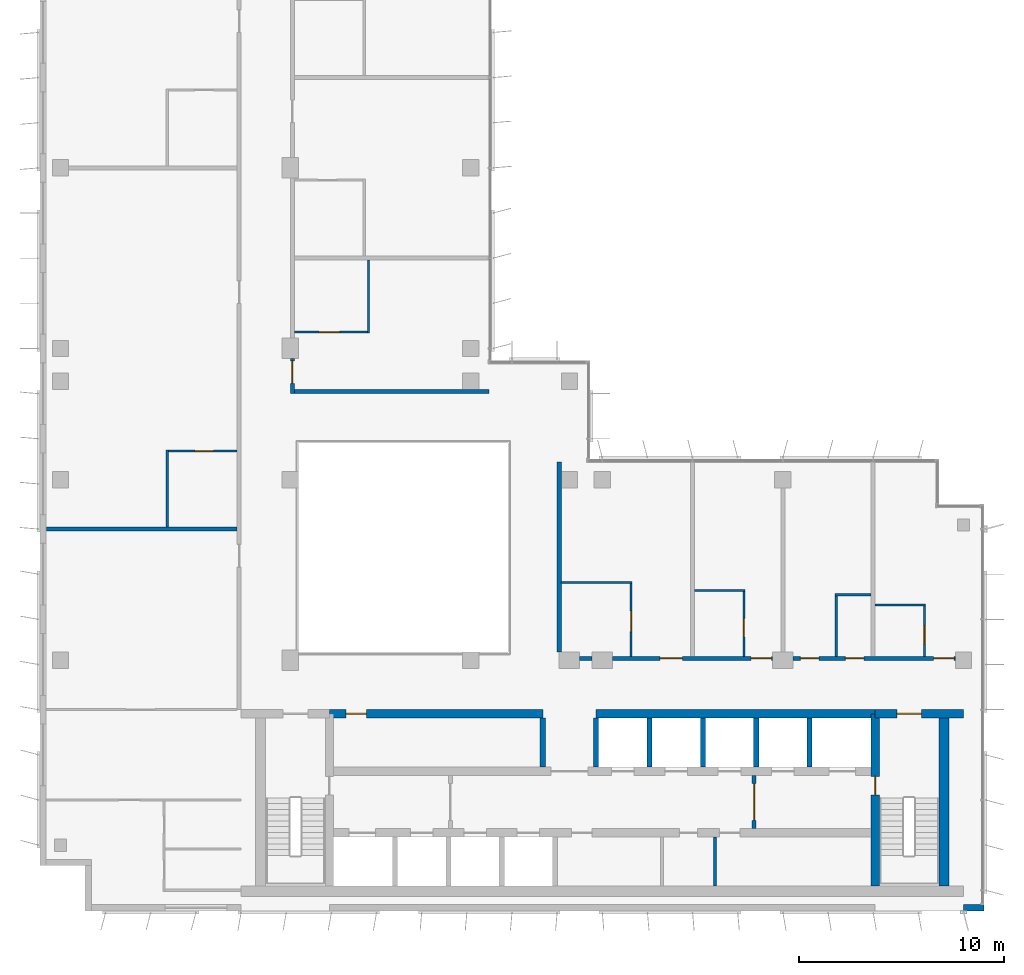
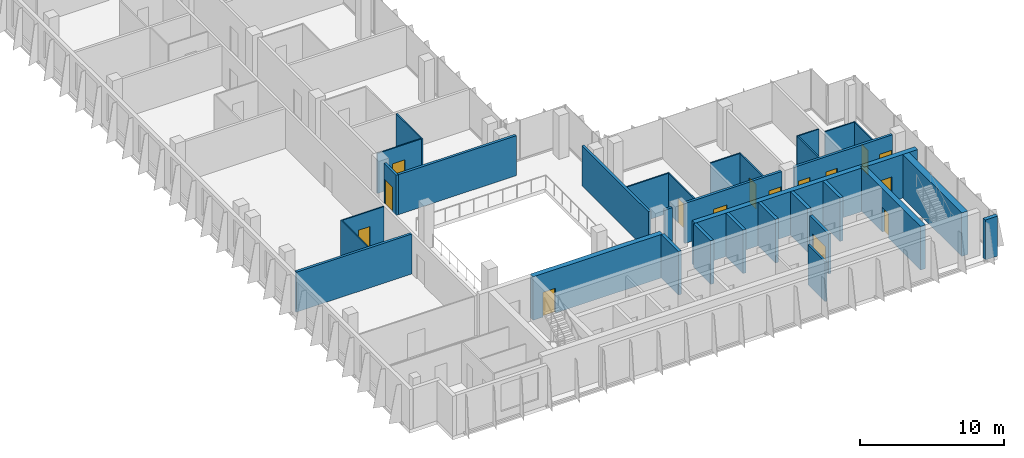
# One storey, part 10 of 15: 33 walls, 15 doors, 15 openings.
"""IFC4 building model written with IfcOpenShell, lengths in metres."""

from ifc_helpers import new_model, si_unit, direction, frame, frame_2d, origin, place, context, subcontext, project, spatial, rectangle, extrude, material, layer, layer_set, type_object, element, fill, save


model = new_model("IFC4")

# Units and contexts
model_context = context("Model", 3, precision=1e-05, world=origin(), true_north=direction((0.0, 1.0)))
body_context = subcontext(model_context, "Body", "Model", "MODEL_VIEW")
ifc_project = project(units=[si_unit("LENGTHUNIT", "METRE"), si_unit("AREAUNIT", "SQUARE_METRE"), si_unit("VOLUMEUNIT", "CUBIC_METRE"), si_unit("PLANEANGLEUNIT", "RADIAN"), si_unit("MASSUNIT", "GRAM", prefix="KILO")], contexts=[model_context])

# Site, building, storey
site_placement = place(None, origin())
site = spatial("IfcSite", under=ifc_project, at=site_placement, CompositionType="ELEMENT")
building_placement = place(site_placement, origin())
building = spatial("IfcBuilding", under=site, at=building_placement, Name="Kemantara Hotel Tower", CompositionType="ELEMENT")
storey_placement = place(building_placement, frame((0.0, 0.0, 294.39990234375)))
storey = spatial("IfcBuildingStorey", under=building, at=storey_placement, Name="L74", CompositionType="ELEMENT", Elevation=294.39990234375)

# Walls
ifc_material_1 = material(Name="Bronze anodised aluminium cladding on insulated steel stud wall", Category="steel")
ifc_layer_1 = layer(ifc_material_1, 0.300048828125)
ifc_layer_set_1 = layer_set([ifc_layer_1], Name="Bronze anodised aluminium cladding on insulated steel stud wall")
wall_type_1 = type_object("IfcWallType", Name="BRONZE METAL-CLAD EXTERNAL WALL 300", PredefinedType="STANDARD", material=ifc_layer_set_1)
wall_1_placement = place(storey_placement, frame((45.0, 0.14990234375, 0.0), z_axis=(0.0, 0.0, 1.0), x_axis=(1.0, 0.0, 0.0)))
element("IfcWall", 1, at=wall_1_placement, inside=storey, type_object=wall_type_1, Name="EXTERNAL WALL L74 T4-R08-3", PredefinedType="STANDARD", context=body_context, shape_type="SweptSolid", body=[
    extrude(rectangle(XDim=1.0, YDim=0.300048828125, at=frame_2d((0.5, 0.0))), origin(), (0.0, 0.0, 1.0), 3.400146484375),
])
ifc_material_2 = material(Name="Concrete fc 50 MPa", Category="concrete")
ifc_layer_2 = layer(ifc_material_2, 0.25)
ifc_layer_set_2 = layer_set([ifc_layer_2], Name="Concrete fc 50 MPa")
wall_type_2 = type_object("IfcWallType", Name="CORE WALL 250 FC50", PredefinedType="SHEAR", material=ifc_layer_set_2)
for number, where, z_axis, x_axis, name in (
    (2, (24.5, 7.0, 0.0), (0.0, 0.0, 1.0), (0.0, 1.0, 0.0), "CORE WALL CW-DN24.5"),
    (3, (27.10009765625, 7.0, 0.0), (0.0, 0.0, 1.0), (0.0, 1.0, 0.0), "CORE WALL CW-DN27.1"),
    (4, (29.699951171875, 7.0, 0.0), (0.0, 0.0, 1.0), (0.0, 1.0, 0.0), "CORE WALL CW-DN29.7"),
    (5, (32.300048828125, 7.0, 0.0), (0.0, 0.0, 1.0), (0.0, 1.0, 0.0), "CORE WALL CW-DN32.3"),
    (6, (34.89990234375, 7.0, 0.0), (0.0, 0.0, 1.0), (0.0, 1.0, 0.0), "CORE WALL CW-DN34.9"),
    (7, (37.5, 7.0, 0.0), (0.0, 0.0, 1.0), (0.0, 1.0, 0.0), "CORE WALL CW-DN37.5"),
):
    element("IfcWall", number, at=place(storey_placement, frame(where, z_axis=z_axis, x_axis=x_axis)), inside=storey, type_object=wall_type_2, Name=name, PredefinedType="SHEAR", context=body_context, shape_type="SweptSolid", body=[
        extrude(rectangle(XDim=2.39990234375, YDim=0.25, at=frame_2d((1.199951171875, 0.0))), origin(), (0.0, 0.0, 1.0), 3.7001953125),
    ])

# Wall, opening, door
ifc_layer_3 = layer(ifc_material_2, 0.39990234375)
ifc_layer_set_3 = layer_set([ifc_layer_3], Name="Concrete fc 50 MPa")
wall_type_3 = type_object("IfcWallType", Name="CORE WALL 400 FC50", PredefinedType="SHEAR", material=ifc_layer_set_3)
wall_2_placement = place(storey_placement, frame((40.699951171875, 9.60009765625, 0.0), z_axis=(0.0, 0.0, 1.0), x_axis=(1.0, 0.0, 0.0)))
wall_2 = element("IfcWall", 8, at=wall_2_placement, inside=storey, type_object=wall_type_3, Name="CORE WALL CW-N2", PredefinedType="SHEAR", context=body_context, shape_type="SweptSolid", body=[
    extrude(rectangle(XDim=4.300048828125, YDim=0.39990234375, at=frame_2d((2.14990234375, 0.0))), origin(), (0.0, 0.0, 1.0), 3.7001953125),
])
opening_1_placement = place(wall_2_placement, frame((1.050048828125, 0.0, 0.0)))
opening_1 = element("IfcOpeningElement", 9, at=opening_1_placement, cuts=wall_2, Name="Opening C42-ST2-C", PredefinedType="OPENING", context=body_context, shape_type="SweptSolid", body=[
    extrude(rectangle(XDim=1.199951171875, YDim=2.10009765625, at=frame_2d((0.60009765625, 1.050048828125))), frame((0.0, 0.2099609375, 0.0), z_axis=(0.0, -1.0, 0.0), x_axis=(1.0, 0.0, 0.0)), (0.0, 0.0, 1.0), 0.419921875),
])
ifc_material_3 = material(Name="Steel fire door", Category="steel")
door_type_1 = type_object("IfcDoorType", Name="Fire door FD90 1200 x 2100", OperationType="NOTDEFINED", PredefinedType="DOOR", material=ifc_material_3)
door_1_placement = place(opening_1_placement, frame((1.199951171875, 0.0, 0.0), z_axis=(0.0, 0.0, 1.0), x_axis=(-1.0, 0.0, 0.0)))
door_1 = element("IfcDoor", 10, at=door_1_placement, inside=storey, type_object=door_type_1, Name="Stair ST2 door to corridor", OperationType="SINGLE_SWING_RIGHT", OverallHeight=2.10009765625, OverallWidth=1.199951171875, PredefinedType="DOOR", context=body_context, shape_type="SweptSolid", body=[
    extrude(rectangle(XDim=1.199951171875, YDim=2.10009765625, at=frame_2d((0.60009765625, 1.050048828125))), frame((0.0, 0.02490234375, 0.0), z_axis=(0.0, -1.0, 0.0), x_axis=(1.0, 0.0, 0.0)), (0.0, 0.0, 1.0), 0.050048828125),
])
fill(opening_1, door_1)

wall_3_placement = place(storey_placement, frame((14.10009765625, 9.60009765625, 0.0), z_axis=(0.0, 0.0, 1.0), x_axis=(1.0, 0.0, 0.0)))
wall_3 = element("IfcWall", 11, at=wall_3_placement, inside=storey, type_object=wall_type_3, Name="CORE WALL CW-NN1", PredefinedType="SHEAR", context=body_context, shape_type="SweptSolid", body=[
    extrude(rectangle(XDim=10.39990234375, YDim=0.39990234375, at=frame_2d((5.199951171875, 0.0))), origin(), (0.0, 0.0, 1.0), 3.7001953125),
])
opening_2_placement = place(wall_3_placement, frame((0.800048828125, 0.0, 0.0)))
opening_2 = element("IfcOpeningElement", 12, at=opening_2_placement, cuts=wall_3, Name="Opening C42-R-NW1", PredefinedType="OPENING", context=body_context, shape_type="SweptSolid", body=[
    extrude(rectangle(XDim=1.0, YDim=2.10009765625, at=frame_2d((0.5, 1.050048828125))), frame((0.0, 0.2099609375, 0.0), z_axis=(0.0, -1.0, 0.0), x_axis=(1.0, 0.0, 0.0)), (0.0, 0.0, 1.0), 0.419921875),
])
door_type_2 = type_object("IfcDoorType", Name="Fire door FD30S 1000 x 2100", OperationType="NOTDEFINED", PredefinedType="DOOR", material=ifc_material_3)
door_2_placement = place(opening_2_placement, frame((1.0, 0.0, 0.0), z_axis=(0.0, 0.0, 1.0), x_axis=(-1.0, 0.0, 0.0)))
door_2 = element("IfcDoor", 13, at=door_2_placement, inside=storey, type_object=door_type_2, Name="Linen Store door", OperationType="SINGLE_SWING_RIGHT", OverallHeight=2.10009765625, OverallWidth=1.0, PredefinedType="DOOR", context=body_context, shape_type="SweptSolid", body=[
    extrude(rectangle(XDim=1.0, YDim=2.10009765625, at=frame_2d((0.5, 1.050048828125))), frame((0.0, 0.02490234375, 0.0), z_axis=(0.0, -1.0, 0.0), x_axis=(1.0, 0.0, 0.0)), (0.0, 0.0, 1.0), 0.050048828125),
])
fill(opening_2, door_2)

# Wall
wall_4_placement = place(storey_placement, frame((27.10009765625, 9.60009765625, 0.0), z_axis=(0.0, 0.0, 1.0), x_axis=(1.0, 0.0, 0.0)))
element("IfcWall", 14, at=wall_4_placement, inside=storey, type_object=wall_type_3, Name="CORE WALL CW-NN2", PredefinedType="SHEAR", context=body_context, shape_type="SweptSolid", body=[
    extrude(rectangle(XDim=13.599853515625, YDim=0.39990234375, at=frame_2d((6.7998046875, 0.0))), origin(), (0.0, 0.0, 1.0), 3.7001953125),
])

# Wall, opening, door
wall_5_placement = place(storey_placement, frame((40.699951171875, 1.199951171875, 0.0), z_axis=(0.0, 0.0, 1.0), x_axis=(0.0, 1.0, 0.0)))
wall_5 = element("IfcWall", 15, at=wall_5_placement, inside=storey, type_object=wall_type_3, Name="CORE WALL CW-ST2W", PredefinedType="SHEAR", context=body_context, shape_type="SweptSolid", body=[
    extrude(rectangle(XDim=8.400146484375, YDim=0.39990234375, at=frame_2d((4.2001953125, 0.0))), origin(), (0.0, 0.0, 1.0), 3.7001953125),
])
opening_3_placement = place(wall_5_placement, frame((4.449951171875, 0.0, 0.0)))
opening_3 = element("IfcOpeningElement", 16, at=opening_3_placement, cuts=wall_5, Name="Opening C42-ST2-F", PredefinedType="OPENING", context=body_context, shape_type="SweptSolid", body=[
    extrude(rectangle(XDim=0.89990234375, YDim=2.10009765625, at=frame_2d((0.449951171875, 1.050048828125))), frame((0.0, 0.2099609375, 0.0), z_axis=(0.0, -1.0, 0.0), x_axis=(1.0, 0.0, 0.0)), (0.0, 0.0, 1.0), 0.419921875),
])
door_type_3 = type_object("IfcDoorType", Name="Fire door FD90 900 x 2100", OperationType="NOTDEFINED", PredefinedType="DOOR", material=ifc_material_3)
door_3_placement = place(opening_3_placement, frame((0.89990234375, 0.0, 0.0), z_axis=(0.0, 0.0, 1.0), x_axis=(-1.0, 0.0, 0.0)))
door_3 = element("IfcDoor", 17, at=door_3_placement, inside=storey, type_object=door_type_3, Name="Stair ST2 door to firefighting lobby", OperationType="SINGLE_SWING_LEFT", OverallHeight=2.10009765625, OverallWidth=0.89990234375, PredefinedType="DOOR", context=body_context, shape_type="SweptSolid", body=[
    extrude(rectangle(XDim=0.89990234375, YDim=2.10009765625, at=frame_2d((0.449951171875, 1.050048828125))), frame((0.0, 0.02490234375, 0.0), z_axis=(0.0, -1.0, 0.0), x_axis=(1.0, 0.0, 0.0)), (0.0, 0.0, 1.0), 0.050048828125),
])
fill(opening_3, door_3)

# Walls
ifc_layer_4 = layer(ifc_material_2, 0.5)
ifc_layer_set_4 = layer_set([ifc_layer_4], Name="Concrete fc 50 MPa")
wall_type_4 = type_object("IfcWallType", Name="CORE WALL 500 FC50", PredefinedType="SHEAR", material=ifc_layer_set_4)
wall_6_placement = place(storey_placement, frame((44.050048828125, 1.199951171875, 0.0), z_axis=(0.0, 0.0, 1.0), x_axis=(0.0, 1.0, 0.0)))
element("IfcWall", 18, at=wall_6_placement, inside=storey, type_object=wall_type_4, Name="CORE WALL CW-E", PredefinedType="SHEAR", context=body_context, shape_type="SweptSolid", body=[
    extrude(rectangle(XDim=8.60009765625, YDim=0.5, at=frame_2d((4.300048828125, 0.0))), origin(), (0.0, 0.0, 1.0), 3.7001953125),
])
ifc_material_4 = material(Name="Gypsum board partition, steel studs and mineral wool, 200 mm", Category="steel")
ifc_layer_5 = layer(ifc_material_4, 0.199951171875)
ifc_layer_set_5 = layer_set([ifc_layer_5], Name="Gypsum board partition, steel studs and mineral wool, 200 mm")
wall_type_5 = type_object("IfcWallType", Name="CORRIDOR WALL 200", PredefinedType="PARTITIONING", material=ifc_layer_set_5)
wall_7_placement = place(storey_placement, frame((26.300048828125, 12.300048828125, 0.0), z_axis=(0.0, 0.0, 1.0), x_axis=(1.0, 0.0, 0.0)))
element("IfcWall", 19, at=wall_7_placement, inside=storey, type_object=wall_type_5, Name="CORRIDOR WALL 200 001", PredefinedType="PARTITIONING", context=body_context, shape_type="SweptSolid", body=[
    extrude(rectangle(XDim=0.599853515625, YDim=0.199951171875, at=frame_2d((0.2998046875, 0.0))), origin(), (0.0, 0.0, 1.0), 3.400146484375),
])

# Wall, openings, doors
wall_8_placement = place(storey_placement, frame((27.900146484375, 12.300048828125, 0.0), z_axis=(0.0, 0.0, 1.0), x_axis=(1.0, 0.0, 0.0)))
wall_8 = element("IfcWall", 20, at=wall_8_placement, inside=storey, type_object=wall_type_5, Name="CORRIDOR WALL 200 002", PredefinedType="PARTITIONING", context=body_context, shape_type="SweptSolid", body=[
    extrude(rectangle(XDim=7.7998046875, YDim=0.199951171875, at=frame_2d((3.89990234375, 0.0))), origin(), (0.0, 0.0, 1.0), 3.400146484375),
])
opening_4_placement = place(wall_8_placement, frame((2.2998046875, 0.0, 0.0)))
opening_4 = element("IfcOpeningElement", 21, at=opening_4_placement, cuts=wall_8, Name="Opening F36-001", PredefinedType="OPENING", context=body_context, shape_type="SweptSolid", body=[
    extrude(rectangle(XDim=1.10009765625, YDim=2.10009765625, at=frame_2d((0.550048828125, 1.050048828125))), frame((0.0, 0.10986328125, 0.0), z_axis=(0.0, -1.0, 0.0), x_axis=(1.0, 0.0, 0.0)), (0.0, 0.0, 1.0), 0.219970703125),
])
opening_5_placement = place(wall_8_placement, frame((6.75, 0.0, 0.0)))
opening_5 = element("IfcOpeningElement", 22, at=opening_5_placement, cuts=wall_8, Name="Opening F36-003", PredefinedType="OPENING", context=body_context, shape_type="SweptSolid", body=[
    extrude(rectangle(XDim=1.0, YDim=2.10009765625, at=frame_2d((0.5, 1.050048828125))), frame((0.0, 0.10986328125, 0.0), z_axis=(0.0, -1.0, 0.0), x_axis=(1.0, 0.0, 0.0)), (0.0, 0.0, 1.0), 0.219970703125),
])
ifc_material_5 = material(Name="Hardwood veneer door leaf with steel frame", Category="steel")
door_type_4 = type_object("IfcDoorType", Name="GUEST ROOM DOOR 1000 X 2100 FD30S", OperationType="NOTDEFINED", PredefinedType="DOOR", material=ifc_material_5)
door_4_placement = place(opening_5_placement, origin())
door_4 = element("IfcDoor", 23, at=door_4_placement, inside=storey, type_object=door_type_4, Name="GUEST ROOM DOOR F36-003", OperationType="SINGLE_SWING_RIGHT", OverallHeight=2.10009765625, OverallWidth=1.0, PredefinedType="DOOR", context=body_context, shape_type="SweptSolid", body=[
    extrude(rectangle(XDim=1.0, YDim=2.10009765625, at=frame_2d((0.5, 1.050048828125))), frame((0.0, 0.02490234375, 0.0), z_axis=(0.0, -1.0, 0.0), x_axis=(1.0, 0.0, 0.0)), (0.0, 0.0, 1.0), 0.050048828125),
])
fill(opening_5, door_4)
door_type_5 = type_object("IfcDoorType", Name="GUEST ROOM DOOR 1100 X 2100 FD30S", OperationType="NOTDEFINED", PredefinedType="DOOR", material=ifc_material_5)
door_5_placement = place(opening_4_placement, origin())
door_5 = element("IfcDoor", 24, at=door_5_placement, inside=storey, type_object=door_type_5, Name="GUEST ROOM DOOR F36-001", OperationType="SINGLE_SWING_RIGHT", OverallHeight=2.10009765625, OverallWidth=1.10009765625, PredefinedType="DOOR", context=body_context, shape_type="SweptSolid", body=[
    extrude(rectangle(XDim=1.10009765625, YDim=2.10009765625, at=frame_2d((0.550048828125, 1.050048828125))), frame((0.0, 0.02490234375, 0.0), z_axis=(0.0, -1.0, 0.0), x_axis=(1.0, 0.0, 0.0)), (0.0, 0.0, 1.0), 0.050048828125),
])
fill(opening_4, door_5)

wall_9_placement = place(storey_placement, frame((36.7001953125, 12.300048828125, 0.0), z_axis=(0.0, 0.0, 1.0), x_axis=(1.0, 0.0, 0.0)))
wall_9 = element("IfcWall", 25, at=wall_9_placement, inside=storey, type_object=wall_type_5, Name="CORRIDOR WALL 200 003", PredefinedType="PARTITIONING", context=body_context, shape_type="SweptSolid", body=[
    extrude(rectangle(XDim=7.899658203125, YDim=0.199951171875, at=frame_2d((3.94970703125, 0.0))), origin(), (0.0, 0.0, 1.0), 3.400146484375),
])
opening_6_placement = place(wall_9_placement, frame((0.349853515625, 0.0, 0.0)))
opening_6 = element("IfcOpeningElement", 26, at=opening_6_placement, cuts=wall_9, Name="Opening F36-005", PredefinedType="OPENING", context=body_context, shape_type="SweptSolid", body=[
    extrude(rectangle(XDim=0.89990234375, YDim=2.10009765625, at=frame_2d((0.449951171875, 1.050048828125))), frame((0.0, 0.10986328125, 0.0), z_axis=(0.0, -1.0, 0.0), x_axis=(1.0, 0.0, 0.0)), (0.0, 0.0, 1.0), 0.219970703125),
])
opening_7_placement = place(wall_9_placement, frame((2.5498046875, 0.0, 0.0)))
opening_7 = element("IfcOpeningElement", 27, at=opening_7_placement, cuts=wall_9, Name="Opening F36-006", PredefinedType="OPENING", context=body_context, shape_type="SweptSolid", body=[
    extrude(rectangle(XDim=0.89990234375, YDim=2.10009765625, at=frame_2d((0.449951171875, 1.050048828125))), frame((0.0, 0.10986328125, 0.0), z_axis=(0.0, -1.0, 0.0), x_axis=(1.0, 0.0, 0.0)), (0.0, 0.0, 1.0), 0.219970703125),
])
opening_8_placement = place(wall_9_placement, frame((6.849853515625, 0.0, 0.0)))
opening_8 = element("IfcOpeningElement", 28, at=opening_8_placement, cuts=wall_9, Name="Opening F36-007", PredefinedType="OPENING", context=body_context, shape_type="SweptSolid", body=[
    extrude(rectangle(XDim=1.0, YDim=2.10009765625, at=frame_2d((0.5, 1.050048828125))), frame((0.0, 0.10986328125, 0.0), z_axis=(0.0, -1.0, 0.0), x_axis=(1.0, 0.0, 0.0)), (0.0, 0.0, 1.0), 0.219970703125),
])
door_6_placement = place(opening_8_placement, origin())
door_6 = element("IfcDoor", 29, at=door_6_placement, inside=storey, type_object=door_type_4, Name="GUEST ROOM DOOR F36-007", OperationType="SINGLE_SWING_RIGHT", OverallHeight=2.10009765625, OverallWidth=1.0, PredefinedType="DOOR", context=body_context, shape_type="SweptSolid", body=[
    extrude(rectangle(XDim=1.0, YDim=2.10009765625, at=frame_2d((0.5, 1.050048828125))), frame((0.0, 0.02490234375, 0.0), z_axis=(0.0, -1.0, 0.0), x_axis=(1.0, 0.0, 0.0)), (0.0, 0.0, 1.0), 0.050048828125),
])
fill(opening_8, door_6)
ifc_material_6 = material(Name="Steel door leaf with steel frame", Category="steel")
door_type_6 = type_object("IfcDoorType", Name="SERVICE ROOM DOOR 900 X 2100 FD60", OperationType="NOTDEFINED", PredefinedType="DOOR", material=ifc_material_6)
door_7_placement = place(opening_6_placement, origin())
door_7 = element("IfcDoor", 30, at=door_7_placement, inside=storey, type_object=door_type_6, Name="SERVICE ROOM DOOR F36-005", OperationType="SINGLE_SWING_LEFT", OverallHeight=2.10009765625, OverallWidth=0.89990234375, PredefinedType="DOOR", context=body_context, shape_type="SweptSolid", body=[
    extrude(rectangle(XDim=0.89990234375, YDim=2.10009765625, at=frame_2d((0.449951171875, 1.050048828125))), frame((0.0, 0.02490234375, 0.0), z_axis=(0.0, -1.0, 0.0), x_axis=(1.0, 0.0, 0.0)), (0.0, 0.0, 1.0), 0.050048828125),
])
fill(opening_6, door_7)
door_8_placement = place(opening_7_placement, origin())
door_8 = element("IfcDoor", 31, at=door_8_placement, inside=storey, type_object=door_type_6, Name="SERVICE ROOM DOOR F36-006", OperationType="SINGLE_SWING_RIGHT", OverallHeight=2.10009765625, OverallWidth=0.89990234375, PredefinedType="DOOR", context=body_context, shape_type="SweptSolid", body=[
    extrude(rectangle(XDim=0.89990234375, YDim=2.10009765625, at=frame_2d((0.449951171875, 1.050048828125))), frame((0.0, 0.02490234375, 0.0), z_axis=(0.0, -1.0, 0.0), x_axis=(1.0, 0.0, 0.0)), (0.0, 0.0, 1.0), 0.050048828125),
])
fill(opening_7, door_8)

# Wall, opening, door
wall_10_placement = place(storey_placement, frame((12.300048828125, 26.89990234375, 0.0), z_axis=(0.0, 0.0, 1.0), x_axis=(0.0, -1.0, 0.0)))
wall_10 = element("IfcWall", 32, at=wall_10_placement, inside=storey, type_object=wall_type_5, Name="CORRIDOR WALL 200 015", PredefinedType="PARTITIONING", context=body_context, shape_type="SweptSolid", body=[
    extrude(rectangle(XDim=1.699951171875, YDim=0.199951171875, at=frame_2d((0.85009765625, 0.0))), origin(), (0.0, 0.0, 1.0), 3.400146484375),
])
opening_9_placement = place(wall_10_placement, frame((0.099853515625, 0.0, 0.0)))
opening_9 = element("IfcOpeningElement", 33, at=opening_9_placement, cuts=wall_10, Name="Opening F36-022", PredefinedType="OPENING", context=body_context, shape_type="SweptSolid", body=[
    extrude(rectangle(XDim=1.10009765625, YDim=2.10009765625, at=frame_2d((0.550048828125, 1.050048828125))), frame((0.0, 0.10986328125, 0.0), z_axis=(0.0, -1.0, 0.0), x_axis=(1.0, 0.0, 0.0)), (0.0, 0.0, 1.0), 0.219970703125),
])
door_9_placement = place(opening_9_placement, origin())
door_9 = element("IfcDoor", 34, at=door_9_placement, inside=storey, type_object=door_type_5, Name="GUEST ROOM DOOR F36-022", OperationType="SINGLE_SWING_RIGHT", OverallHeight=2.10009765625, OverallWidth=1.10009765625, PredefinedType="DOOR", context=body_context, shape_type="SweptSolid", body=[
    extrude(rectangle(XDim=1.10009765625, YDim=2.10009765625, at=frame_2d((0.550048828125, 1.050048828125))), frame((0.0, 0.02490234375, 0.0), z_axis=(0.0, -1.0, 0.0), x_axis=(1.0, 0.0, 0.0)), (0.0, 0.0, 1.0), 0.050048828125),
])
fill(opening_9, door_9)

# Walls
ifc_layer_6 = layer(ifc_material_4, 0.199951171875)
ifc_layer_set_6 = layer_set([ifc_layer_6], Name="Gypsum board partition, steel studs and mineral wool, 200 mm")
wall_type_6 = type_object("IfcWallType", Name="GUEST ROOM PARTY WALL 200", PredefinedType="PARTITIONING", material=ifc_layer_set_6)
wall_11_placement = place(storey_placement, frame((25.300048828125, 12.60009765625, 0.0), z_axis=(0.0, 0.0, 1.0), x_axis=(0.0, 1.0, 0.0)))
element("IfcWall", 35, at=wall_11_placement, inside=storey, type_object=wall_type_6, Name="GUEST ROOM PARTY WALL 200 004", PredefinedType="PARTITIONING", context=body_context, shape_type="SweptSolid", body=[
    extrude(rectangle(XDim=9.27001953125, YDim=0.199951171875, at=frame_2d((4.635009765625, 0.0))), origin(), (0.0, 0.0, 1.0), 3.400146484375),
])
wall_12_placement = place(storey_placement, frame((0.31005859375, 18.60009765625, 0.0), z_axis=(0.0, 0.0, 1.0), x_axis=(1.0, 0.0, 0.0)))
element("IfcWall", 36, at=wall_12_placement, inside=storey, type_object=wall_type_6, Name="GUEST ROOM PARTY WALL 200 010", PredefinedType="PARTITIONING", context=body_context, shape_type="SweptSolid", body=[
    extrude(rectangle(XDim=9.2900390625, YDim=0.199951171875, at=frame_2d((4.64501953125, 0.0))), origin(), (0.0, 0.0, 1.0), 3.400146484375),
])
wall_13_placement = place(storey_placement, frame((12.39990234375, 25.300048828125, 0.0), z_axis=(0.0, 0.0, 1.0), x_axis=(1.0, 0.0, 0.0)))
element("IfcWall", 37, at=wall_13_placement, inside=storey, type_object=wall_type_6, Name="GUEST ROOM PARTY WALL 200 020", PredefinedType="PARTITIONING", context=body_context, shape_type="SweptSolid", body=[
    extrude(rectangle(XDim=9.47021484375, YDim=0.199951171875, at=frame_2d((4.735107421875, 0.0))), origin(), (0.0, 0.0, 1.0), 3.400146484375),
])
ifc_material_7 = material(Name="Gypsum board partition")
ifc_layer_7 = layer(ifc_material_7, 0.14990234375)
ifc_layer_set_7 = layer_set([ifc_layer_7], Name="Gypsum board partition")
wall_type_7 = type_object("IfcWallType", Name="Gypsum board partition 150 mm", PredefinedType="PARTITIONING", material=ifc_layer_set_7)
wall_14_placement = place(storey_placement, frame((32.89990234375, 1.199951171875, 0.0), z_axis=(0.0, 0.0, 1.0), x_axis=(0.0, 1.0, 0.0)))
element("IfcWall", 38, at=wall_14_placement, inside=storey, type_object=wall_type_7, Name="Core room partition", PredefinedType="PARTITIONING", context=body_context, shape_type="SweptSolid", body=[
    extrude(rectangle(XDim=2.400146484375, YDim=0.14990234375, at=frame_2d((1.2001953125, 0.0))), origin(), (0.0, 0.0, 1.0), 3.400146484375),
])

# Wall, opening, door
ifc_material_8 = material(Name="Gypsum board shaft wall")
ifc_layer_8 = layer(ifc_material_8, 0.199951171875)
ifc_layer_set_8 = layer_set([ifc_layer_8], Name="Gypsum board shaft wall")
wall_type_8 = type_object("IfcWallType", Name="Gypsum board shaft wall 200 mm", PredefinedType="PARTITIONING", material=ifc_layer_set_8)
wall_15_placement = place(storey_placement, frame((34.800048828125, 4.0, 0.0), z_axis=(0.0, 0.0, 1.0), x_axis=(0.0, 1.0, 0.0)))
wall_15 = element("IfcWall", 39, at=wall_15_placement, inside=storey, type_object=wall_type_8, Name="Firefighting lobby partition east", PredefinedType="PARTITIONING", context=body_context, shape_type="SweptSolid", body=[
    extrude(rectangle(XDim=2.60009765625, YDim=0.199951171875, at=frame_2d((1.300048828125, 0.0))), origin(), (0.0, 0.0, 1.0), 3.400146484375),
])
opening_10_placement = place(wall_15_placement, frame((0.39990234375, 0.0, 0.0)))
opening_10 = element("IfcOpeningElement", 40, at=opening_10_placement, cuts=wall_15, Name="Opening C42-FFE", PredefinedType="OPENING", context=body_context, shape_type="SweptSolid", body=[
    extrude(rectangle(XDim=1.800048828125, YDim=2.10009765625, at=frame_2d((0.89990234375, 1.050048828125))), frame((0.0, 0.10986328125, 0.0), z_axis=(0.0, -1.0, 0.0), x_axis=(1.0, 0.0, 0.0)), (0.0, 0.0, 1.0), 0.219970703125),
])
door_type_7 = type_object("IfcDoorType", Name="Fire door pair FD60 1800 x 2100", OperationType="DOUBLE_DOOR_SINGLE_SWING", PredefinedType="DOOR", material=ifc_material_3)
door_10_placement = place(opening_10_placement, frame((1.800048828125, 0.0, 0.0), z_axis=(0.0, 0.0, 1.0), x_axis=(-1.0, 0.0, 0.0)))
door_10 = element("IfcDoor", 41, at=door_10_placement, inside=storey, type_object=door_type_7, Name="Firefighting lobby door east", OperationType="DOUBLE_DOOR_SINGLE_SWING", OverallHeight=2.10009765625, OverallWidth=1.800048828125, PredefinedType="DOOR", context=body_context, shape_type="SweptSolid", body=[
    extrude(rectangle(XDim=1.800048828125, YDim=2.10009765625, at=frame_2d((0.89990234375, 1.050048828125))), frame((0.0, 0.02490234375, 0.0), z_axis=(0.0, -1.0, 0.0), x_axis=(1.0, 0.0, 0.0)), (0.0, 0.0, 1.0), 0.050048828125),
])
fill(opening_10, door_10)

# Wall
ifc_material_9 = material(Name="Gypsum board partition on steel studs, 100 mm", Category="steel")
ifc_layer_9 = layer(ifc_material_9, 0.10009765625)
ifc_layer_set_9 = layer_set([ifc_layer_9], Name="Gypsum board partition on steel studs, 100 mm")
wall_type_9 = type_object("IfcWallType", Name="ROOM PARTITION 100", PredefinedType="PARTITIONING", material=ifc_layer_set_9)
wall_16_placement = place(storey_placement, frame((25.39990234375, 16.0, 0.0), z_axis=(0.0, 0.0, 1.0), x_axis=(1.0, 0.0, 0.0)))
element("IfcWall", 42, at=wall_16_placement, inside=storey, type_object=wall_type_9, Name="ROOM PARTITION 100 023", PredefinedType="PARTITIONING", context=body_context, shape_type="SweptSolid", body=[
    extrude(rectangle(XDim=3.4501953125, YDim=0.10009765625, at=frame_2d((1.72509765625, 0.0))), origin(), (0.0, 0.0, 1.0), 3.400146484375),
])

# Wall, opening, door
wall_17_placement = place(storey_placement, frame((28.800048828125, 12.39990234375, 0.0), z_axis=(0.0, 0.0, 1.0), x_axis=(0.0, 1.0, 0.0)))
wall_17 = element("IfcWall", 43, at=wall_17_placement, inside=storey, type_object=wall_type_9, Name="ROOM PARTITION 100 024", PredefinedType="PARTITIONING", context=body_context, shape_type="SweptSolid", body=[
    extrude(rectangle(XDim=3.550048828125, YDim=0.10009765625, at=frame_2d((1.77490234375, 0.0))), origin(), (0.0, 0.0, 1.0), 3.400146484375),
])
opening_11_placement = place(wall_17_placement, frame((1.199951171875, 0.0, 0.0)))
opening_11 = element("IfcOpeningElement", 44, at=opening_11_placement, cuts=wall_17, Name="Opening F36-002", PredefinedType="OPENING", context=body_context, shape_type="SweptSolid", body=[
    extrude(rectangle(XDim=1.0, YDim=2.10009765625, at=frame_2d((0.5, 1.050048828125))), frame((0.0, 0.06005859375, 0.0), z_axis=(0.0, -1.0, 0.0), x_axis=(1.0, 0.0, 0.0)), (0.0, 0.0, 1.0), 0.1201171875),
])
door_type_8 = type_object("IfcDoorType", Name="BATHROOM DOOR 1000 X 2100", OperationType="NOTDEFINED", PredefinedType="DOOR", material=ifc_material_5)
door_11_placement = place(opening_11_placement, origin())
door_11 = element("IfcDoor", 45, at=door_11_placement, inside=storey, type_object=door_type_8, Name="BATHROOM DOOR F36-002", OperationType="SINGLE_SWING_LEFT", OverallHeight=2.10009765625, OverallWidth=1.0, PredefinedType="DOOR", context=body_context, shape_type="SweptSolid", body=[
    extrude(rectangle(XDim=1.0, YDim=2.10009765625, at=frame_2d((0.5, 1.050048828125))), frame((0.0, 0.02490234375, 0.0), z_axis=(0.0, -1.0, 0.0), x_axis=(1.0, 0.0, 0.0)), (0.0, 0.0, 1.0), 0.050048828125),
])
fill(opening_11, door_11)

# Wall
wall_18_placement = place(storey_placement, frame((31.89990234375, 15.60009765625, 0.0), z_axis=(0.0, 0.0, 1.0), x_axis=(1.0, 0.0, 0.0)))
element("IfcWall", 46, at=wall_18_placement, inside=storey, type_object=wall_type_9, Name="ROOM PARTITION 100 025", PredefinedType="PARTITIONING", context=body_context, shape_type="SweptSolid", body=[
    extrude(rectangle(XDim=2.4501953125, YDim=0.10009765625, at=frame_2d((1.22509765625, 0.0))), origin(), (0.0, 0.0, 1.0), 3.400146484375),
])

# Wall, opening, door
wall_19_placement = place(storey_placement, frame((34.300048828125, 12.39990234375, 0.0), z_axis=(0.0, 0.0, 1.0), x_axis=(0.0, 1.0, 0.0)))
wall_19 = element("IfcWall", 47, at=wall_19_placement, inside=storey, type_object=wall_type_9, Name="ROOM PARTITION 100 026", PredefinedType="PARTITIONING", context=body_context, shape_type="SweptSolid", body=[
    extrude(rectangle(XDim=3.150146484375, YDim=0.10009765625, at=frame_2d((1.5751953125, 0.0))), origin(), (0.0, 0.0, 1.0), 3.400146484375),
])
opening_12_placement = place(wall_19_placement, frame((0.949951171875, 0.0, 0.0)))
opening_12 = element("IfcOpeningElement", 48, at=opening_12_placement, cuts=wall_19, Name="Opening F36-004", PredefinedType="OPENING", context=body_context, shape_type="SweptSolid", body=[
    extrude(rectangle(XDim=0.89990234375, YDim=2.10009765625, at=frame_2d((0.449951171875, 1.050048828125))), frame((0.0, 0.06005859375, 0.0), z_axis=(0.0, -1.0, 0.0), x_axis=(1.0, 0.0, 0.0)), (0.0, 0.0, 1.0), 0.1201171875),
])
door_type_9 = type_object("IfcDoorType", Name="BATHROOM DOOR 900 X 2100", OperationType="NOTDEFINED", PredefinedType="DOOR", material=ifc_material_5)
door_12_placement = place(opening_12_placement, origin())
door_12 = element("IfcDoor", 49, at=door_12_placement, inside=storey, type_object=door_type_9, Name="BATHROOM DOOR F36-004", OperationType="SINGLE_SWING_LEFT", OverallHeight=2.10009765625, OverallWidth=0.89990234375, PredefinedType="DOOR", context=body_context, shape_type="SweptSolid", body=[
    extrude(rectangle(XDim=0.89990234375, YDim=2.10009765625, at=frame_2d((0.449951171875, 1.050048828125))), frame((0.0, 0.02490234375, 0.0), z_axis=(0.0, -1.0, 0.0), x_axis=(1.0, 0.0, 0.0)), (0.0, 0.0, 1.0), 0.050048828125),
])
fill(opening_12, door_12)

# Walls
wall_20_placement = place(storey_placement, frame((38.75, 15.39990234375, 0.0), z_axis=(0.0, 0.0, 1.0), x_axis=(1.0, 0.0, 0.0)))
element("IfcWall", 50, at=wall_20_placement, inside=storey, type_object=wall_type_9, Name="ROOM PARTITION 100 027", PredefinedType="PARTITIONING", context=body_context, shape_type="SweptSolid", body=[
    extrude(rectangle(XDim=1.75, YDim=0.10009765625, at=frame_2d((0.875, 0.0))), origin(), (0.0, 0.0, 1.0), 3.400146484375),
])
wall_21_placement = place(storey_placement, frame((38.800048828125, 12.39990234375, 0.0), z_axis=(0.0, 0.0, 1.0), x_axis=(0.0, 1.0, 0.0)))
element("IfcWall", 51, at=wall_21_placement, inside=storey, type_object=wall_type_9, Name="ROOM PARTITION 100 028", PredefinedType="PARTITIONING", context=body_context, shape_type="SweptSolid", body=[
    extrude(rectangle(XDim=2.9501953125, YDim=0.10009765625, at=frame_2d((1.47509765625, 0.0))), origin(), (0.0, 0.0, 1.0), 3.400146484375),
])
wall_22_placement = place(storey_placement, frame((40.699951171875, 14.89990234375, 0.0), z_axis=(0.0, 0.0, 1.0), x_axis=(1.0, 0.0, 0.0)))
element("IfcWall", 52, at=wall_22_placement, inside=storey, type_object=wall_type_9, Name="ROOM PARTITION 100 029", PredefinedType="PARTITIONING", context=body_context, shape_type="SweptSolid", body=[
    extrude(rectangle(XDim=2.449951171875, YDim=0.10009765625, at=frame_2d((1.22509765625, 0.0))), origin(), (0.0, 0.0, 1.0), 3.400146484375),
])

# Wall, opening, door
wall_23_placement = place(storey_placement, frame((43.10009765625, 12.39990234375, 0.0), z_axis=(0.0, 0.0, 1.0), x_axis=(0.0, 1.0, 0.0)))
wall_23 = element("IfcWall", 53, at=wall_23_placement, inside=storey, type_object=wall_type_9, Name="ROOM PARTITION 100 030", PredefinedType="PARTITIONING", context=body_context, shape_type="SweptSolid", body=[
    extrude(rectangle(XDim=2.4501953125, YDim=0.10009765625, at=frame_2d((1.22509765625, 0.0))), origin(), (0.0, 0.0, 1.0), 3.400146484375),
])
opening_13_placement = place(wall_23_placement, frame((0.60009765625, 0.0, 0.0)))
opening_13 = element("IfcOpeningElement", 54, at=opening_13_placement, cuts=wall_23, Name="Opening F36-008", PredefinedType="OPENING", context=body_context, shape_type="SweptSolid", body=[
    extrude(rectangle(XDim=0.89990234375, YDim=2.10009765625, at=frame_2d((0.449951171875, 1.050048828125))), frame((0.0, 0.06005859375, 0.0), z_axis=(0.0, -1.0, 0.0), x_axis=(1.0, 0.0, 0.0)), (0.0, 0.0, 1.0), 0.1201171875),
])
door_13_placement = place(opening_13_placement, origin())
door_13 = element("IfcDoor", 55, at=door_13_placement, inside=storey, type_object=door_type_9, Name="BATHROOM DOOR F36-008", OperationType="SINGLE_SWING_LEFT", OverallHeight=2.10009765625, OverallWidth=0.89990234375, PredefinedType="DOOR", context=body_context, shape_type="SweptSolid", body=[
    extrude(rectangle(XDim=0.89990234375, YDim=2.10009765625, at=frame_2d((0.449951171875, 1.050048828125))), frame((0.0, 0.02490234375, 0.0), z_axis=(0.0, -1.0, 0.0), x_axis=(1.0, 0.0, 0.0)), (0.0, 0.0, 1.0), 0.050048828125),
])
fill(opening_13, door_13)

# Wall
wall_24_placement = place(storey_placement, frame((6.199951171875, 18.699951171875, 0.0), z_axis=(0.0, 0.0, 1.0), x_axis=(0.0, 1.0, 0.0)))
element("IfcWall", 56, at=wall_24_placement, inside=storey, type_object=wall_type_9, Name="ROOM PARTITION 100 036", PredefinedType="PARTITIONING", context=body_context, shape_type="SweptSolid", body=[
    extrude(rectangle(XDim=3.75, YDim=0.10009765625, at=frame_2d((1.875, 0.0))), origin(), (0.0, 0.0, 1.0), 3.400146484375),
])

# Wall, opening, door
wall_25_placement = place(storey_placement, frame((9.60009765625, 22.39990234375, 0.0), z_axis=(0.0, 0.0, 1.0), x_axis=(-1.0, 0.0, 0.0)))
wall_25 = element("IfcWall", 57, at=wall_25_placement, inside=storey, type_object=wall_type_9, Name="ROOM PARTITION 100 039", PredefinedType="PARTITIONING", context=body_context, shape_type="SweptSolid", body=[
    extrude(rectangle(XDim=3.35009765625, YDim=0.10009765625, at=frame_2d((1.675048828125, 0.0))), origin(), (0.0, 0.0, 1.0), 3.400146484375),
])
opening_14_placement = place(wall_25_placement, frame((1.14990234375, 0.0, 0.0)))
opening_14 = element("IfcOpeningElement", 58, at=opening_14_placement, cuts=wall_25, Name="Opening F36-015", PredefinedType="OPENING", context=body_context, shape_type="SweptSolid", body=[
    extrude(rectangle(XDim=0.89990234375, YDim=2.10009765625, at=frame_2d((0.449951171875, 1.050048828125))), frame((0.0, 0.06005859375, 0.0), z_axis=(0.0, -1.0, 0.0), x_axis=(1.0, 0.0, 0.0)), (0.0, 0.0, 1.0), 0.1201171875),
])
door_14_placement = place(opening_14_placement, origin())
door_14 = element("IfcDoor", 59, at=door_14_placement, inside=storey, type_object=door_type_9, Name="BATHROOM DOOR F36-015", OperationType="SINGLE_SWING_LEFT", OverallHeight=2.10009765625, OverallWidth=0.89990234375, PredefinedType="DOOR", context=body_context, shape_type="SweptSolid", body=[
    extrude(rectangle(XDim=0.89990234375, YDim=2.10009765625, at=frame_2d((0.449951171875, 1.050048828125))), frame((0.0, 0.02490234375, 0.0), z_axis=(0.0, -1.0, 0.0), x_axis=(1.0, 0.0, 0.0)), (0.0, 0.0, 1.0), 0.050048828125),
])
fill(opening_14, door_14)

# Wall
wall_26_placement = place(storey_placement, frame((16.0, 28.14990234375, 0.0), z_axis=(0.0, 0.0, 1.0), x_axis=(0.0, 1.0, 0.0)))
element("IfcWall", 60, at=wall_26_placement, inside=storey, type_object=wall_type_9, Name="ROOM PARTITION 100 045", PredefinedType="PARTITIONING", context=body_context, shape_type="SweptSolid", body=[
    extrude(rectangle(XDim=3.550048828125, YDim=0.10009765625, at=frame_2d((1.77490234375, 0.0))), origin(), (0.0, 0.0, 1.0), 3.400146484375),
])

# Wall, opening, door
wall_27_placement = place(storey_placement, frame((12.39990234375, 28.199951171875, 0.0), z_axis=(0.0, 0.0, 1.0), x_axis=(1.0, 0.0, 0.0)))
wall_27 = element("IfcWall", 61, at=wall_27_placement, inside=storey, type_object=wall_type_9, Name="ROOM PARTITION 100 046", PredefinedType="PARTITIONING", context=body_context, shape_type="SweptSolid", body=[
    extrude(rectangle(XDim=3.550048828125, YDim=0.10009765625, at=frame_2d((1.77490234375, 0.0))), origin(), (0.0, 0.0, 1.0), 3.400146484375),
])
opening_15_placement = place(wall_27_placement, frame((1.199951171875, 0.0, 0.0)))
opening_15 = element("IfcOpeningElement", 62, at=opening_15_placement, cuts=wall_27, Name="Opening F36-023", PredefinedType="OPENING", context=body_context, shape_type="SweptSolid", body=[
    extrude(rectangle(XDim=1.0, YDim=2.10009765625, at=frame_2d((0.5, 1.050048828125))), frame((0.0, 0.06005859375, 0.0), z_axis=(0.0, -1.0, 0.0), x_axis=(1.0, 0.0, 0.0)), (0.0, 0.0, 1.0), 0.1201171875),
])
door_15_placement = place(opening_15_placement, origin())
door_15 = element("IfcDoor", 63, at=door_15_placement, inside=storey, type_object=door_type_8, Name="BATHROOM DOOR F36-023", OperationType="SINGLE_SWING_LEFT", OverallHeight=2.10009765625, OverallWidth=1.0, PredefinedType="DOOR", context=body_context, shape_type="SweptSolid", body=[
    extrude(rectangle(XDim=1.0, YDim=2.10009765625, at=frame_2d((0.5, 1.050048828125))), frame((0.0, 0.02490234375, 0.0), z_axis=(0.0, -1.0, 0.0), x_axis=(1.0, 0.0, 0.0)), (0.0, 0.0, 1.0), 0.050048828125),
])
fill(opening_15, door_15)

save(model, "model.ifc")
